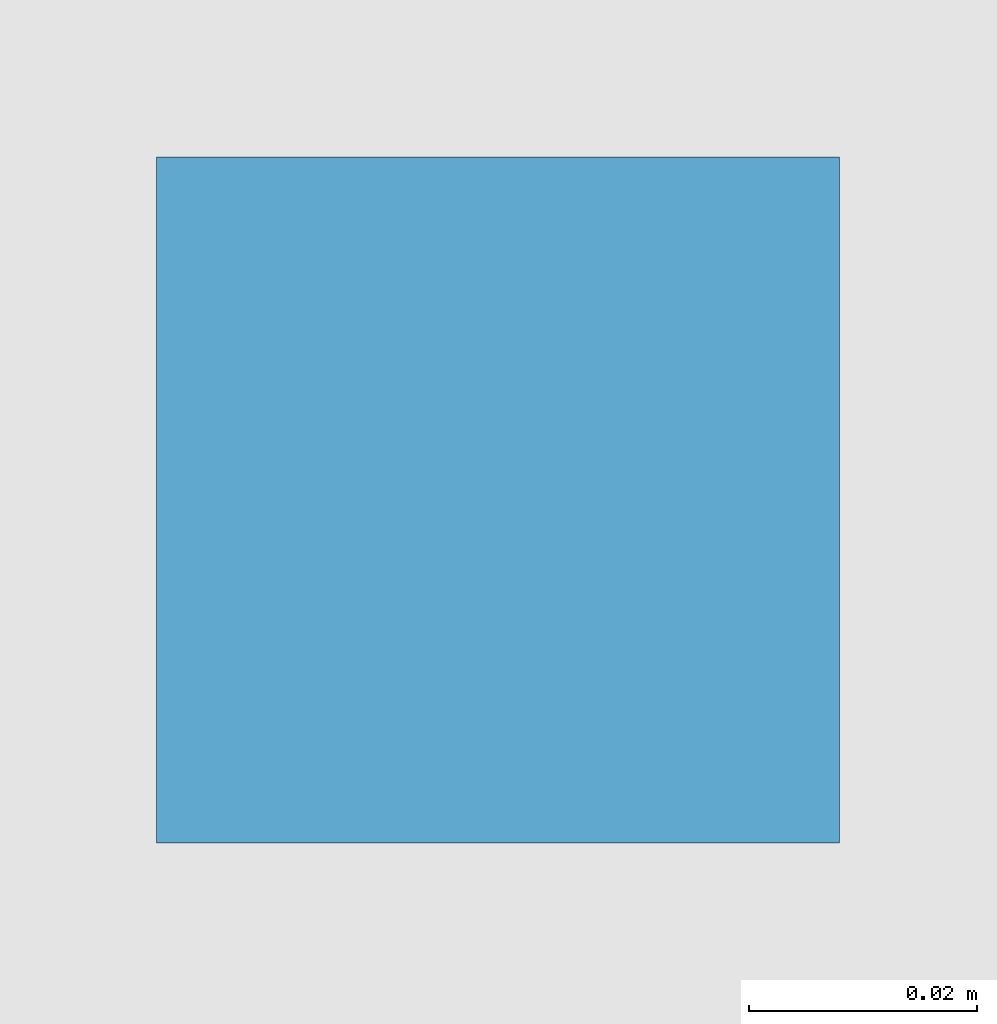
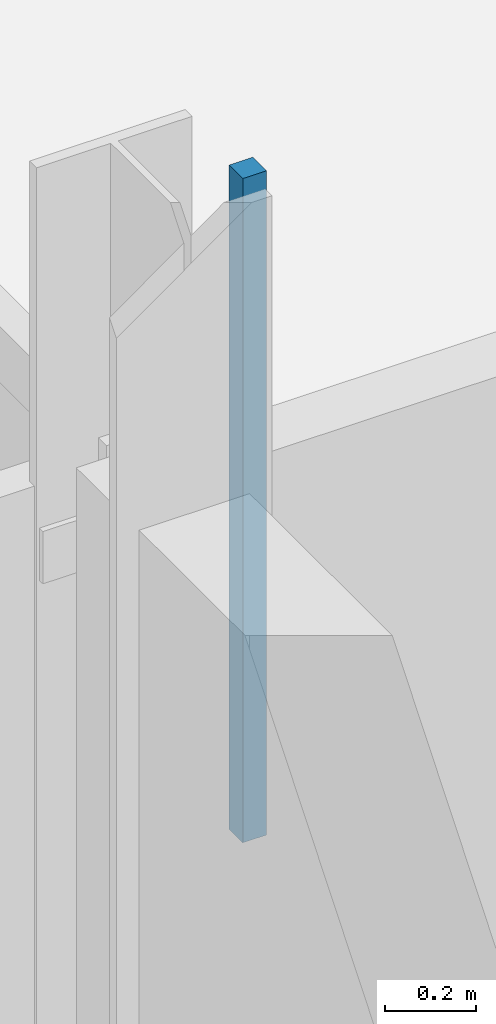
# One storey, part 73 of 111: 1 discrete accessory.
"""IFC4 building model written with IfcOpenShell, lengths in metres."""

from ifc_helpers import new_model, si_unit, direction, frame, origin, place, context, subcontext, project, spatial, polyline, outline, extrude, material, type_object, element, save


model = new_model("IFC4")

# Units and contexts
model_context = context("Model", 3, precision=1e-05, world=origin(), true_north=direction((0.0, 1.0)))
body_context = subcontext(model_context, "Body", "Model", "MODEL_VIEW")
ifc_project = project(units=[si_unit("LENGTHUNIT", "METRE"), si_unit("AREAUNIT", "SQUARE_METRE"), si_unit("VOLUMEUNIT", "CUBIC_METRE"), si_unit("PLANEANGLEUNIT", "RADIAN"), si_unit("MASSUNIT", "GRAM", prefix="KILO")], contexts=[model_context])

# Site, building, storey
site_placement = place(None, origin())
site = spatial("IfcSite", under=ifc_project, at=site_placement, CompositionType="ELEMENT")
building_placement = place(site_placement, origin())
building = spatial("IfcBuilding", under=site, at=building_placement, Name="Dunescarp Central Library", CompositionType="ELEMENT")
storey_placement = place(building_placement, origin())
storey = spatial("IfcBuildingStorey", under=building, at=storey_placement, Name="L00", CompositionType="ELEMENT", Elevation=0.0)

# Discrete accessory
ifc_material = material(Name="Stainless steel Grade 316L", Category="steel")
discrete_accessory_type = type_object("IfcDiscreteAccessoryType", Name="ARC-ACC-BRK", PredefinedType="BRACKET", material=ifc_material)
discrete_accessory_placement = place(storey_placement, frame((0.0, 0.0, 3.06005859375)))
element("IfcDiscreteAccessory", 1, at=discrete_accessory_placement, inside=storey, type_object=discrete_accessory_type, Name="L00 ceiling hanger CLG-L00-120-H1", PredefinedType="BRACKET", context=body_context, shape_type="SweptSolid", body=[
    extrude(outline(polyline([(0.360107421875, 61.02001953125), (0.419921875, 61.02001953125), (0.419921875, 61.080078125), (0.360107421875, 61.080078125), (0.360107421875, 61.02001953125)])), origin(), (0.0, 0.0, 1.0), 1.780029296875),
])

save(model, "model.ifc")
